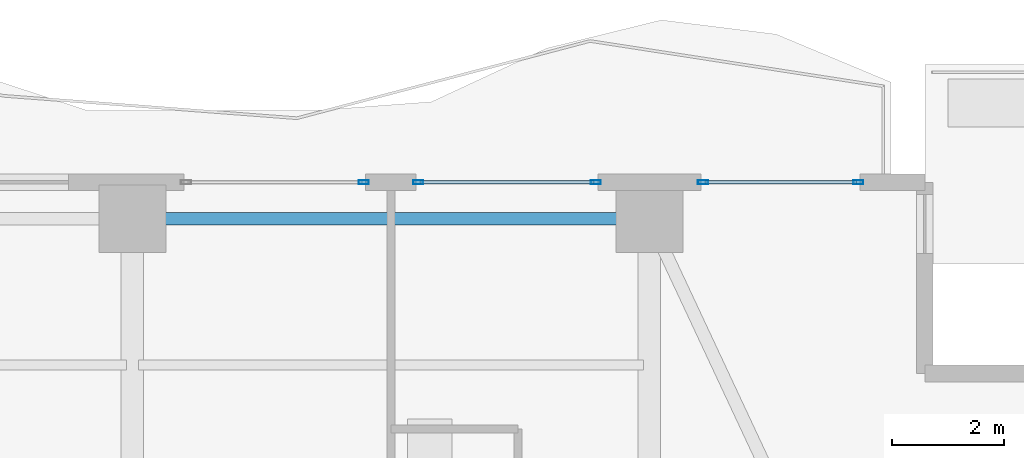
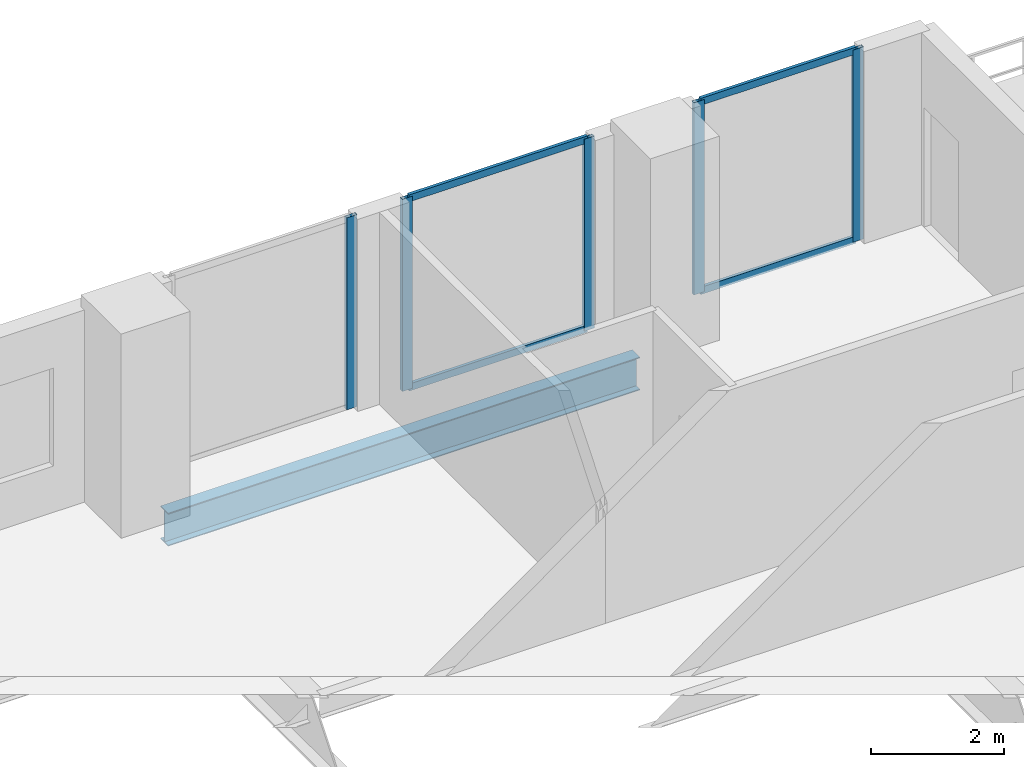
# One storey, part 23 of 33: 9 members, 1 beam, 3 elements without a shape of their own.
"""IFC4 building model written with IfcOpenShell, lengths in metres."""

import ifcopenshell
import ifcopenshell.guid

model = None  # the IFC model being written
_history = None  # IfcOwnerHistory: only IFC2X3 demands one
_inside = {}  # id of a spatial element -> (the spatial element, [elements in it])
_under = {}  # id of a project, library or spatial element -> (it, [spatial elements below it])
_declared = {}  # id of a project -> (the project, [libraries it declares])
_typed = {}  # id of a type object -> (the type object, [elements of that type])
_made_of = {}  # id of a material, layer set ... -> (it, [elements and type objects made of it])


def new_model(schema):
    """Start an empty IFC model of exactly this schema.

    Asked for "IFC4X3", IfcOpenShell would pick the latest addendum, in which some entities
    have other attributes; the version numbers below select the first issue.
    IFC2X3 requires an IfcOwnerHistory on every rooted entity: one is made here for all.
    """
    global model, _history
    if schema == "IFC4X3":
        model = ifcopenshell.file(schema_version=(4, 3, 0, 0))
    else:
        model = ifcopenshell.file(schema=schema)
    _inside.clear()
    _under.clear()
    _declared.clear()
    _typed.clear()
    _made_of.clear()
    _history = None
    if model.schema == "IFC2X3":
        org = make("IfcOrganization", Name="unknown")
        user = make(
            "IfcPersonAndOrganization",
            ThePerson=make("IfcPerson", FamilyName="unknown"),
            TheOrganization=org,
        )
        app = make(
            "IfcApplication",
            ApplicationDeveloper=org,
            Version="unknown",
            ApplicationFullName="unknown",
            ApplicationIdentifier="unknown",
        )
        _history = make(
            "IfcOwnerHistory",
            OwningUser=user,
            OwningApplication=app,
            ChangeAction="ADDED",
            CreationDate=0,
        )
    return model


def make(cls, **values):
    """One entity of the class cls with the attributes given. An attribute that is None is left unset."""
    return model.create_entity(
        cls, **{name: value for name, value in values.items() if value is not None}
    )


def rooted(cls, **values):
    """An entity with a GlobalId (a new one), such as an element, a storey or a relation."""
    return make(cls, GlobalId=ifcopenshell.guid.new(), OwnerHistory=_history, **values)


def si_unit(unit_type, name, prefix=None):
    """IfcSIUnit, for example si_unit("LENGTHUNIT", "METRE", prefix="MILLI")."""
    return make("IfcSIUnit", UnitType=unit_type, Prefix=prefix, Name=name)


def assignment(units):
    """IfcUnitAssignment: the units of a project."""
    return None if units is None else make("IfcUnitAssignment", Units=units)


def point(xyz):
    """IfcCartesianPoint."""
    return None if xyz is None else make("IfcCartesianPoint", Coordinates=xyz)


def direction(xyz):
    """IfcDirection."""
    return None if xyz is None else make("IfcDirection", DirectionRatios=xyz)


def frame(location, z_axis=None, x_axis=None):
    """IfcAxis2Placement3D, a coordinate frame: its origin and axes. An axis left out is left unset."""
    return make(
        "IfcAxis2Placement3D",
        Location=point(location),
        Axis=direction(z_axis),
        RefDirection=direction(x_axis),
    )


def frame_2d(location, x_axis=None):
    """IfcAxis2Placement2D, a coordinate frame in the plane: its origin and x axis."""
    return make(
        "IfcAxis2Placement2D", Location=point(location), RefDirection=direction(x_axis)
    )


def origin():
    """The frame at (0, 0, 0) with its axes left unset."""
    return frame((0.0, 0.0, 0.0))


def origin_2d():
    """The frame at (0, 0) in the plane with its x axis left unset."""
    return frame_2d((0.0, 0.0))


def place(relative_to, where):
    """IfcLocalPlacement: puts the frame where relative to a parent placement (None: the world)."""
    return make(
        "IfcLocalPlacement", PlacementRelTo=relative_to, RelativePlacement=where
    )


def context(
    kind, dimensions, precision=None, world=None, true_north=None, identifier=None
):
    """IfcGeometricRepresentationContext, for example the 3D "Model" context."""
    return make(
        "IfcGeometricRepresentationContext",
        ContextIdentifier=identifier,
        ContextType=kind,
        CoordinateSpaceDimension=dimensions,
        Precision=precision,
        WorldCoordinateSystem=world,
        TrueNorth=true_north,
    )


def subcontext(parent, identifier, kind, view, scale=None):
    """IfcGeometricRepresentationSubContext, for example "Body" below "Model"."""
    return make(
        "IfcGeometricRepresentationSubContext",
        ContextIdentifier=identifier,
        ContextType=kind,
        ParentContext=parent,
        TargetScale=scale,
        TargetView=view,
    )


def project(units=None, contexts=None):
    """IfcProject with its units and contexts."""
    return rooted(
        "IfcProject",
        Name="project",
        RepresentationContexts=contexts,
        UnitsInContext=assignment(units),
    )


def spatial(cls, under=None, at=None, **own):
    """A site, building, storey or space (cls), placed at a placement, below another one or the project."""
    s = rooted(cls, ObjectPlacement=at, **own)
    if under is not None:
        _under.setdefault(under.id(), (under, []))[1].append(s)
    return s


def profile(cls, at=None, kind="AREA", **sizes):
    """A parametric profile (cls). Its sizes go by their IFC names, for example OverallWidth=200.0."""
    return make(cls, ProfileType=kind, Position=at, **sizes)


def hollow_rectangle(**sizes):
    """IfcRectangleHollowProfileDef."""
    return profile("IfcRectangleHollowProfileDef", **sizes)


def i_section(**sizes):
    """IfcIShapeProfileDef."""
    return profile("IfcIShapeProfileDef", **sizes)


def extrude(swept, where, along, depth):
    """IfcExtrudedAreaSolid: the profile swept, set in the frame where, extruded along a direction by depth."""
    return make(
        "IfcExtrudedAreaSolid",
        SweptArea=swept,
        Position=where,
        ExtrudedDirection=direction(along),
        Depth=depth,
    )


def shape(context_of_items, identifier, shape_type, items):
    """IfcShapeRepresentation: the items that make up one representation, for example the "Body"."""
    return make(
        "IfcShapeRepresentation",
        ContextOfItems=context_of_items,
        RepresentationIdentifier=identifier,
        RepresentationType=shape_type,
        Items=items,
    )


def material(Name=None, Category=None):
    """IfcMaterial."""
    return make("IfcMaterial", Name=Name, Category=Category)


def layer(
    of_material, thickness, ventilated=None, Name=None, Category=None, Priority=None
):
    """IfcMaterialLayer: one layer of a wall or slab, of a material (None: an air gap)."""
    return make(
        "IfcMaterialLayer",
        Material=of_material,
        LayerThickness=thickness,
        IsVentilated=ventilated,
        Name=Name,
        Category=Category,
        Priority=Priority,
    )


def layer_set(layers, Name=None):
    """IfcMaterialLayerSet."""
    return make("IfcMaterialLayerSet", MaterialLayers=layers, LayerSetName=Name)


def material_profile(
    of_material, cross_section, Name=None, Category=None, Priority=None
):
    """IfcMaterialProfile: a cross section and its material."""
    return make(
        "IfcMaterialProfile",
        Name=Name,
        Material=of_material,
        Profile=cross_section,
        Priority=Priority,
        Category=Category,
    )


def profile_set(profiles, Name=None, composite=None):
    """IfcMaterialProfileSet."""
    return make(
        "IfcMaterialProfileSet",
        Name=Name,
        MaterialProfiles=profiles,
        CompositeProfile=composite,
    )


def made_of(thing, what):
    """Note that an element or type object is made of a material, layer set ...; save() writes the relation."""
    if what is not None:
        _made_of.setdefault(what.id(), (what, []))[1].append(thing)
    return thing


def type_object(cls, material=None, **own):
    """A type object (cls), such as IfcWallType, which elements share."""
    return made_of(rooted(cls, **own), material)


def element(
    cls,
    number,
    at=None,
    inside=None,
    cuts=None,
    type_object=None,
    material=None,
    context=None,
    identifier="Body",
    shape_type=None,
    held_by="IfcProductDefinitionShape",
    body=None,
    shapes=None,
    **own,
):
    """One element of the class cls, such as IfcWall. Its Tag is "e" and its number.

    at: its placement. inside: the storey or other place that contains it. cuts: it is an
    opening in that element (IfcRelVoidsElement). A single representation is given by context,
    identifier, shape_type and body (its items); several are given by shapes. held_by: the class
    of the entity that holds the representations. save() writes the other relations.
    """
    e = rooted(cls, Tag="e%d" % number, ObjectPlacement=at, **own)
    if body is not None:
        shapes = [shape(context, identifier, shape_type, body)]
    if shapes is not None:
        e.Representation = make(held_by, Representations=shapes)
    if inside is not None:
        _inside.setdefault(inside.id(), (inside, []))[1].append(e)
    if cuts is not None:
        rooted(
            "IfcRelVoidsElement", RelatingBuildingElement=cuts, RelatedOpeningElement=e
        )
    if type_object is not None:
        _typed.setdefault(type_object.id(), (type_object, []))[1].append(e)
    return made_of(e, material)


def aggregate(whole, parts):
    """IfcRelAggregates: a whole, such as a stair, and the parts it consists of."""
    return rooted("IfcRelAggregates", RelatingObject=whole, RelatedObjects=parts)


def save(model, path):
    """Write the relations noted so far, then the file.

    IfcRelAggregates (storeys below a building ...), IfcRelContainedInSpatialStructure (elements
    in a storey), IfcRelDefinesByType, IfcRelAssociatesMaterial and IfcRelDeclares: one each for
    every whole, place, type object, material and project.
    """
    for whole, parts in _under.values():
        aggregate(whole, parts)
    for where, things in _inside.values():
        rooted(
            "IfcRelContainedInSpatialStructure",
            RelatedElements=things,
            RelatingStructure=where,
        )
    for kind, things in _typed.values():
        rooted("IfcRelDefinesByType", RelatedObjects=things, RelatingType=kind)
    for what, things in _made_of.values():
        rooted("IfcRelAssociatesMaterial", RelatedObjects=things, RelatingMaterial=what)
    for by, libraries in _declared.values():
        rooted("IfcRelDeclares", RelatingContext=by, RelatedDefinitions=libraries)
    model.write(path)


model = new_model("IFC4")

# Units and contexts
model_context = context("Model", 3, precision=1e-05, world=origin(), true_north=direction((0.0, 1.0)))
body_context = subcontext(model_context, "Body", "Model", "MODEL_VIEW")
ifc_project = project(units=[si_unit("LENGTHUNIT", "METRE"), si_unit("AREAUNIT", "SQUARE_METRE"), si_unit("VOLUMEUNIT", "CUBIC_METRE"), si_unit("PLANEANGLEUNIT", "RADIAN"), si_unit("MASSUNIT", "GRAM", prefix="KILO")], contexts=[model_context])

# Site, building, storey
site_placement = place(None, origin())
site = spatial("IfcSite", under=ifc_project, at=site_placement, CompositionType="ELEMENT")
building_placement = place(site_placement, origin())
building = spatial("IfcBuilding", under=site, at=building_placement, Name="Zuhayl Quay Hotel", CompositionType="ELEMENT")
storey_placement = place(building_placement, frame((0.0, 0.0, 211.14990234375)))
storey = spatial("IfcBuildingStorey", under=building, at=storey_placement, Name="L53", CompositionType="ELEMENT", Elevation=211.14990234375)

# Beam
ifc_material_1 = material(Name="Steel ASTM A992 Grade 50", Category="steel")
ifc_material_profile_1 = material_profile(ifc_material_1, i_section(OverallWidth=0.22802734375, OverallDepth=0.60693359375, WebThickness=0.01123046875, FlangeThickness=0.017333984375, at=origin_2d()), Name="W24X76")
ifc_profile_set_1 = profile_set([ifc_material_profile_1], Name="Steel ASTM A992 Grade 50")
beam_type = type_object("IfcBeamType", Name="BM_B3_W24X76", PredefinedType="BEAM", material=ifc_profile_set_1)
beam_placement = place(storey_placement, frame((13.300048828125, 32.949951171875, -0.5234375), z_axis=(-1.0, 0.0, 0.0), x_axis=(0.0, -1.0, 0.0)))
element("IfcBeam", 1, at=beam_placement, inside=storey, type_object=beam_type, Name="L53 Floor Beam RG_L53_07", PredefinedType="BEAM", context=body_context, shape_type="SweptSolid", body=[
    extrude(i_section(OverallWidth=0.22802734375, OverallDepth=0.60693359375, WebThickness=0.01123046875, FlangeThickness=0.017333984375, at=origin_2d()), origin(), (0.0, 0.0, 1.0), 8.199951171875),
])

# Curtain wall, member
ifc_material_2 = material(Name="Anodised Aluminium 6063-T6", Category="aluminium")
ifc_layer = layer(ifc_material_2, 0.175048828125, Name="Anodised Aluminium 6063-T6", Category="aluminium")
ifc_layer_set = layer_set([ifc_layer], Name="Anodised Aluminium 6063-T6")
curtain_wall_type = type_object("IfcCurtainWallType", Name="CW_SYS_Z3", PredefinedType="USERDEFINED", material=ifc_layer_set)
curtain_wall_1_placement = place(storey_placement, origin())
curtain_wall_1 = element("IfcCurtainWall", 2, at=curtain_wall_1_placement, inside=storey, type_object=curtain_wall_type, Name="L53 Curtain Wall ENV_L53_N_CW5", ObjectType="UNITISED CURTAIN WALL", PredefinedType="USERDEFINED")
ifc_material_3 = material(Name="Black-anodised aluminium 6063-T6", Category="aluminium")
ifc_material_profile_2 = material_profile(ifc_material_3, hollow_rectangle(XDim=0.06494140625, YDim=0.179931640625, WallThickness=0.00341796875, at=origin_2d()), Name="ALU180X65")
ifc_profile_set_2 = profile_set([ifc_material_profile_2], Name="Black-anodised aluminium 6063-T6")
member_type_1 = type_object("IfcMemberType", Name="MB_CW_MUL_180", PredefinedType="MULLION", material=ifc_profile_set_2)
member_1_placement = place(storey_placement, frame((8.717529296875, 33.60009765625, 0.0), z_axis=(0.0, 0.0, 1.0), x_axis=(0.0, 1.0, 0.0)))
member_1 = element("IfcMember", 3, at=member_1_placement, type_object=member_type_1, Name="CW-Z3 mullion 2", PredefinedType="MULLION", context=body_context, shape_type="SweptSolid", body=[
    extrude(hollow_rectangle(XDim=0.06494140625, YDim=0.179931640625, WallThickness=0.00341796875, at=origin_2d()), origin(), (0.0, 0.0, 1.0), 3.530029296875),
])
aggregate(curtain_wall_1, [member_1])

# Curtain wall, members
curtain_wall_2_placement = place(storey_placement, origin())
curtain_wall_2 = element("IfcCurtainWall", 4, at=curtain_wall_2_placement, inside=storey, type_object=curtain_wall_type, Name="L53 Curtain Wall ENV_L53_N_CW6", ObjectType="UNITISED CURTAIN WALL", PredefinedType="USERDEFINED")
member_2_placement = place(storey_placement, frame((9.6826171875, 33.60009765625, 0.0), z_axis=(0.0, 0.0, 1.0), x_axis=(0.0, 1.0, 0.0)))
member_2 = element("IfcMember", 5, at=member_2_placement, type_object=member_type_1, Name="CW-Z3 mullion 1", PredefinedType="MULLION", context=body_context, shape_type="SweptSolid", body=[
    extrude(hollow_rectangle(XDim=0.06494140625, YDim=0.179931640625, WallThickness=0.00341796875, at=origin_2d()), origin(), (0.0, 0.0, 1.0), 3.530029296875),
])
member_3_placement = place(storey_placement, frame((12.847412109375, 33.60009765625, 0.0), z_axis=(0.0, 0.0, 1.0), x_axis=(0.0, 1.0, 0.0)))
member_3 = element("IfcMember", 6, at=member_3_placement, type_object=member_type_1, Name="CW-Z3 mullion 2", PredefinedType="MULLION", context=body_context, shape_type="SweptSolid", body=[
    extrude(hollow_rectangle(XDim=0.06494140625, YDim=0.179931640625, WallThickness=0.00341796875, at=origin_2d()), origin(), (0.0, 0.0, 1.0), 3.530029296875),
])

curtain_wall_3_placement = place(storey_placement, origin())
curtain_wall_3 = element("IfcCurtainWall", 7, at=curtain_wall_3_placement, inside=storey, type_object=curtain_wall_type, Name="L53 Curtain Wall ENV_L53_N_CW7", ObjectType="UNITISED CURTAIN WALL", PredefinedType="USERDEFINED")
member_4_placement = place(storey_placement, frame((14.75244140625, 33.60009765625, 0.0), z_axis=(0.0, 0.0, 1.0), x_axis=(0.0, 1.0, 0.0)))
member_4 = element("IfcMember", 8, at=member_4_placement, type_object=member_type_1, Name="CW-Z3 mullion 1", PredefinedType="MULLION", context=body_context, shape_type="SweptSolid", body=[
    extrude(hollow_rectangle(XDim=0.06494140625, YDim=0.179931640625, WallThickness=0.00341796875, at=origin_2d()), origin(), (0.0, 0.0, 1.0), 3.530029296875),
])
member_5_placement = place(storey_placement, frame((17.517578125, 33.60009765625, 0.0), z_axis=(0.0, 0.0, 1.0), x_axis=(0.0, 1.0, 0.0)))
member_5 = element("IfcMember", 9, at=member_5_placement, type_object=member_type_1, Name="CW-Z3 mullion 2", PredefinedType="MULLION", context=body_context, shape_type="SweptSolid", body=[
    extrude(hollow_rectangle(XDim=0.06494140625, YDim=0.179931640625, WallThickness=0.00341796875, at=origin_2d()), origin(), (0.0, 0.0, 1.0), 3.530029296875),
])

# Member
ifc_material_profile_3 = material_profile(ifc_material_3, hollow_rectangle(XDim=0.054931640625, YDim=0.1298828125, WallThickness=0.0029296875, at=origin_2d()), Name="ALU130X55")
ifc_profile_set_3 = profile_set([ifc_material_profile_3], Name="Black-anodised aluminium 6063-T6")
member_type_2 = type_object("IfcMemberType", Name="MB_CW_TRN_130", PredefinedType="USERDEFINED", material=ifc_profile_set_3)
member_6_placement = place(storey_placement, frame((9.715087890625, 33.60009765625, 0.027587890625), z_axis=(1.0, 0.0, 0.0), x_axis=(0.0, 1.0, 0.0)))
member_6 = element("IfcMember", 10, at=member_6_placement, type_object=member_type_2, Name="CW-Z3 transom 1.1", ObjectType="TRANSOM", PredefinedType="USERDEFINED", context=body_context, shape_type="SweptSolid", body=[
    extrude(hollow_rectangle(XDim=0.054931640625, YDim=0.1298828125, WallThickness=0.0029296875, at=origin_2d()), origin(), (0.0, 0.0, 1.0), 3.099853515625),
])

member_7_placement = place(storey_placement, frame((9.715087890625, 33.60009765625, 3.502685546875), z_axis=(1.0, 0.0, 0.0), x_axis=(0.0, 1.0, 0.0)))
member_7 = element("IfcMember", 11, at=member_7_placement, type_object=member_type_2, Name="CW-Z3 transom 1.2", ObjectType="TRANSOM", PredefinedType="USERDEFINED", context=body_context, shape_type="SweptSolid", body=[
    extrude(hollow_rectangle(XDim=0.054931640625, YDim=0.1298828125, WallThickness=0.0029296875, at=origin_2d()), origin(), (0.0, 0.0, 1.0), 3.099853515625),
])

aggregate(curtain_wall_2, [member_2, member_3, member_6, member_7])

member_8_placement = place(storey_placement, frame((14.784912109375, 33.60009765625, 0.027587890625), z_axis=(1.0, 0.0, 0.0), x_axis=(0.0, 1.0, 0.0)))
member_8 = element("IfcMember", 12, at=member_8_placement, type_object=member_type_2, Name="CW-Z3 transom 1.1", ObjectType="TRANSOM", PredefinedType="USERDEFINED", context=body_context, shape_type="SweptSolid", body=[
    extrude(hollow_rectangle(XDim=0.054931640625, YDim=0.1298828125, WallThickness=0.0029296875, at=origin_2d()), origin(), (0.0, 0.0, 1.0), 2.7001953125),
])

member_9_placement = place(storey_placement, frame((14.784912109375, 33.60009765625, 3.502685546875), z_axis=(1.0, 0.0, 0.0), x_axis=(0.0, 1.0, 0.0)))
member_9 = element("IfcMember", 13, at=member_9_placement, type_object=member_type_2, Name="CW-Z3 transom 1.2", ObjectType="TRANSOM", PredefinedType="USERDEFINED", context=body_context, shape_type="SweptSolid", body=[
    extrude(hollow_rectangle(XDim=0.054931640625, YDim=0.1298828125, WallThickness=0.0029296875, at=origin_2d()), origin(), (0.0, 0.0, 1.0), 2.7001953125),
])

aggregate(curtain_wall_3, [member_4, member_5, member_8, member_9])

save(model, "model.ifc")
